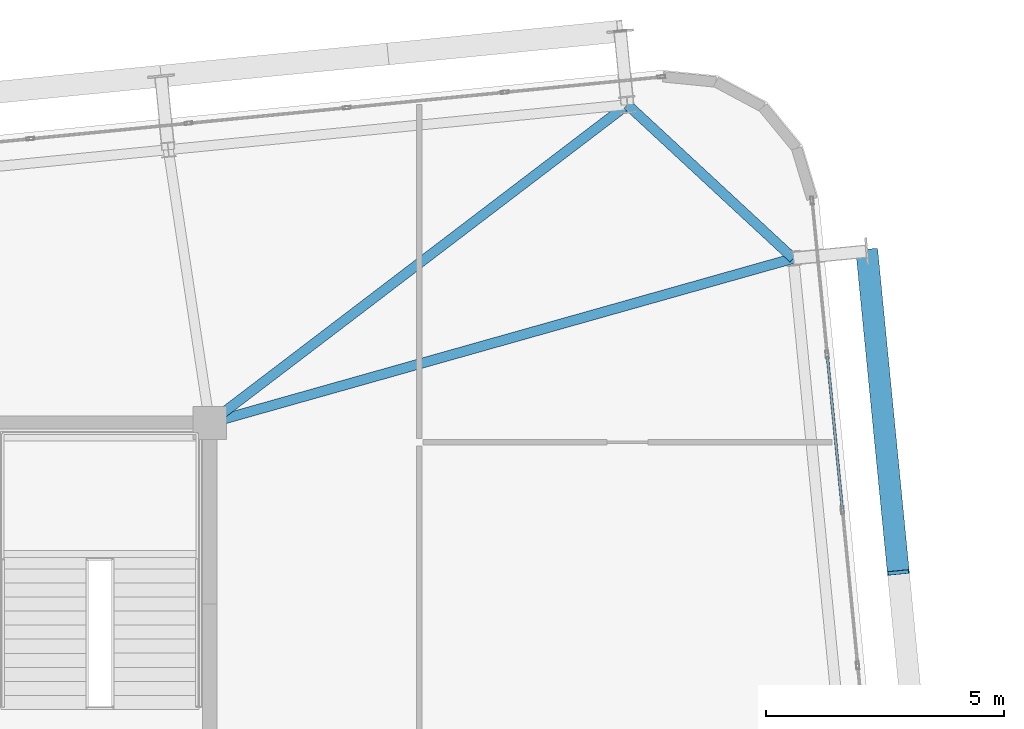
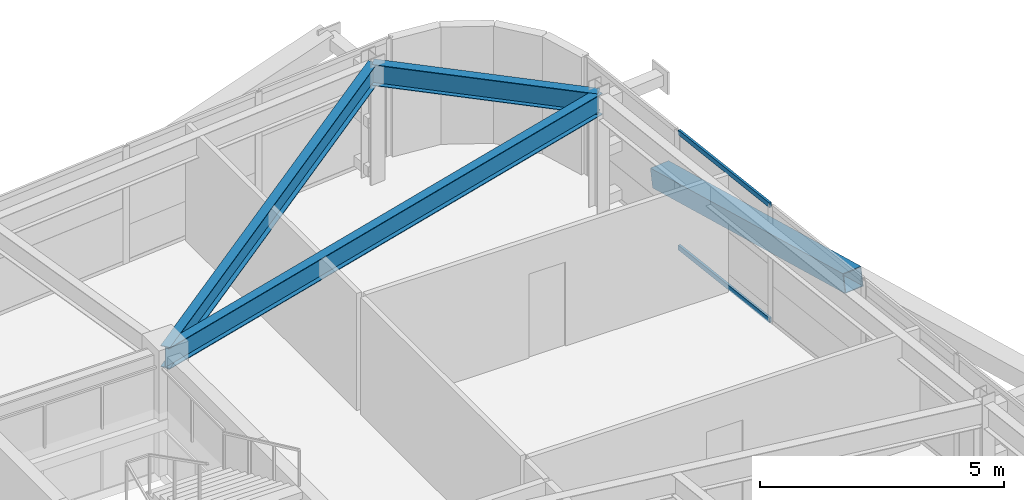
# One storey, part 34 of 52: 3 beams, 3 members, 1 element without a shape of its own.
"""IFC4 building model written with IfcOpenShell, lengths in metres."""

from ifc_helpers import new_model, si_unit, direction, frame, origin, origin_2d, place, context, subcontext, project, spatial, hollow_rectangle, i_section, extrude, source, transform, mapped, material, layer, layer_set, material_profile, profile_set, type_object, element, aggregate, save


model = new_model("IFC4")

# Units and contexts
model_context = context("Model", 3, precision=1e-05, world=origin(), true_north=direction((0.0, 1.0)))
body_context = subcontext(model_context, "Body", "Model", "MODEL_VIEW")
ifc_project = project(units=[si_unit("LENGTHUNIT", "METRE"), si_unit("AREAUNIT", "SQUARE_METRE"), si_unit("VOLUMEUNIT", "CUBIC_METRE"), si_unit("PLANEANGLEUNIT", "RADIAN"), si_unit("MASSUNIT", "GRAM", prefix="KILO")], contexts=[model_context])

# Site, building, storey
site_placement = place(None, origin())
site = spatial("IfcSite", under=ifc_project, at=site_placement, CompositionType="ELEMENT")
building_placement = place(site_placement, origin())
building = spatial("IfcBuilding", under=site, at=building_placement, Name="Taldren Reach Tower", CompositionType="ELEMENT")
storey_placement = place(building_placement, frame((0.0, 0.0, 93.449951171875)))
storey = spatial("IfcBuildingStorey", under=building, at=storey_placement, Name="L28", CompositionType="ELEMENT", Elevation=93.449951171875)

# Beams
ifc_material_1 = material(Name="Steel Gr 350 (350PLUS)", Category="steel")
ifc_material_profile_1 = material_profile(ifc_material_1, i_section(OverallWidth=0.208984375, OverallDepth=0.528076171875, WebThickness=0.009521484375, FlangeThickness=0.01318359375, at=origin_2d()), Name="530UB82.0")
ifc_profile_set_1 = profile_set([ifc_material_profile_1], Name="Steel Gr 350 (350PLUS)")
beam_type_1 = type_object("IfcBeamType", Name="SP-UB530B", PredefinedType="SPANDREL", material=ifc_profile_set_1)
shared_shape_1 = source(origin(), body_context, "Body", "SweptSolid", [
    extrude(i_section(OverallWidth=0.208984375, OverallDepth=0.528076171875, WebThickness=0.009521484375, FlangeThickness=0.01318359375, at=origin_2d()), origin(), (0.0, 0.0, 1.0), 4.74609375),
])
beam_1_placement = place(storey_placement, frame((63.247314453125, 35.454345703125, 2.666015625), z_axis=(-0.733547883762, 0.679637772809, 0.0), x_axis=(-0.679637772809, -0.733547883762, 0.0)))
element("IfcBeam", 1, at=beam_1_placement, inside=storey, type_object=beam_type_1, Name="Perimeter spandrel B2 E3-N6 L28", PredefinedType="SPANDREL", context=body_context, shape_type="MappedRepresentation", body=[
    mapped(shared_shape_1, transform((0.0, 0.0, 0.0), scale=1.0)),
])
ifc_material_profile_2 = material_profile(ifc_material_1, i_section(OverallWidth=0.208984375, OverallDepth=0.532958984375, WebThickness=0.01025390625, FlangeThickness=0.015625, at=origin_2d()), Name="530UB92.4")
ifc_profile_set_2 = profile_set([ifc_material_profile_2], Name="Steel Gr 350 (350PLUS)")
beam_type_2 = type_object("IfcBeamType", Name="BM-UB530A", PredefinedType="BEAM", material=ifc_profile_set_2)
shared_shape_2 = source(origin(), body_context, "Body", "SweptSolid", [
    extrude(i_section(OverallWidth=0.208984375, OverallDepth=0.532958984375, WebThickness=0.01025390625, FlangeThickness=0.015625, at=origin_2d()), origin(), (0.0, 0.0, 1.0), 12.72509765625),
])
beam_2_placement = place(storey_placement, frame((51.0, 32.0, 2.66357421875), z_axis=(0.962450190096, 0.271458342264, 0.0), x_axis=(-0.271458342264, 0.962450190096, 0.0)))
element("IfcBeam", 2, at=beam_2_placement, inside=storey, type_object=beam_type_2, Name="Primary floor girder B2-E3 L28", PredefinedType="BEAM", context=body_context, shape_type="MappedRepresentation", body=[
    mapped(shared_shape_2, transform((0.0, 0.0, 0.0), scale=1.0)),
])
shared_shape_3 = source(origin(), body_context, "Body", "SweptSolid", [
    extrude(i_section(OverallWidth=0.208984375, OverallDepth=0.532958984375, WebThickness=0.01025390625, FlangeThickness=0.015625, at=origin_2d()), origin(), (0.0, 0.0, 1.0), 11.02099609375),
])
beam_3_placement = place(storey_placement, frame((51.0, 32.0, 2.66357421875), z_axis=(0.795380356763, 0.606110623629, 0.0), x_axis=(-0.606110623629, 0.795380356763, 0.0)))
element("IfcBeam", 3, at=beam_3_placement, inside=storey, type_object=beam_type_2, Name="Primary floor girder B2-N6 L28", PredefinedType="BEAM", context=body_context, shape_type="MappedRepresentation", body=[
    mapped(shared_shape_3, transform((0.0, 0.0, 0.0), scale=1.0)),
])

# Member
ifc_material_2 = material(Name="Steel Gr 450 (C450L0)", Category="steel")
ifc_material_profile_3 = material_profile(ifc_material_2, hollow_rectangle(XDim=0.4599609375, YDim=0.4599609375, WallThickness=0.01611328125, at=origin_2d()), Name="460x460x16.0SHS")
ifc_profile_set_3 = profile_set([ifc_material_profile_3], Name="Steel Gr 450 (C450L0)")
member_type_1 = type_object("IfcMemberType", Name="MB-EXO457", PredefinedType="BRACE", material=ifc_profile_set_3)
shared_shape_4 = source(origin(), body_context, "Body", "SweptSolid", [
    extrude(hollow_rectangle(XDim=0.4599609375, YDim=0.4599609375, WallThickness=0.01611328125, at=origin_2d()), origin(), (0.0, 0.0, 1.0), 6.883056640625),
])
member_1_placement = place(storey_placement, frame((64.789794921875, 35.60546875, 0.219970703125), z_axis=(0.09605145821, -0.97959718347, 0.176531797456), x_axis=(0.995227290009, 0.097584021339, 0.0)))
element("IfcMember", 4, at=member_1_placement, inside=storey, type_object=member_type_1, Name="Exoskeleton Diagrid Brace B2-E2 L28", PredefinedType="BRACE", context=body_context, shape_type="MappedRepresentation", body=[
    mapped(shared_shape_4, transform((0.0, 0.0, 0.0), scale=1.0)),
])

# Curtain wall, members
ifc_material_3 = material(Name="Aluminium and Low-E Glass Unitised System", Category="aluminium")
ifc_layer = layer(ifc_material_3, 0.159912109375)
ifc_layer_set = layer_set([ifc_layer], Name="Aluminium and Low-E Glass Unitised System")
curtain_wall_type = type_object("IfcCurtainWallType", Name="CW-SYS-3", PredefinedType="NOTDEFINED", material=ifc_layer_set)
curtain_wall_placement = place(storey_placement, origin())
curtain_wall = element("IfcCurtainWall", 5, at=curtain_wall_placement, inside=storey, type_object=curtain_wall_type, Name="Unitised curtain wall CW-L28-E", PredefinedType="NOTDEFINED")
ifc_material_4 = material(Name="Anodised Aluminium 6063-T6", Category="aluminium")
ifc_material_profile_4 = material_profile(ifc_material_4, hollow_rectangle(XDim=0.054931640625, YDim=0.1201171875, WallThickness=0.0029296875, at=origin_2d()), Name="ALU-120x55x3RHS")
ifc_profile_set_4 = profile_set([ifc_material_profile_4], Name="Anodised Aluminium 6063-T6")
member_type_2 = type_object("IfcMemberType", Name="CW-TRN-135", PredefinedType="USERDEFINED", material=ifc_profile_set_4)
shared_shape_5 = source(origin(), body_context, "Body", "SweptSolid", [
    extrude(hollow_rectangle(XDim=0.054931640625, YDim=0.1201171875, WallThickness=0.0029296875, at=origin_2d()), origin(), (0.0, 0.0, 1.0), 3.212890625),
])
member_2_placement = place(storey_placement, frame((64.274169921875, 30.206298828125, 0.027587890625), z_axis=(-0.097569948235, 0.995228669805, 0.0), x_axis=(-0.995228669805, -0.097569948235, 0.0)))
member_2 = element("IfcMember", 6, at=member_2_placement, type_object=member_type_2, Name="CW-3 transom 8.1", ObjectType="TRANSOM", PredefinedType="USERDEFINED", context=body_context, shape_type="MappedRepresentation", body=[
    mapped(shared_shape_5, transform((0.0, 0.0, 0.0), scale=1.0)),
])
member_3_placement = place(storey_placement, frame((64.274169921875, 30.206298828125, 2.902587890625), z_axis=(-0.097569948235, 0.995228669805, 0.0), x_axis=(-0.995228669805, -0.097569948235, 0.0)))
member_3 = element("IfcMember", 7, at=member_3_placement, type_object=member_type_2, Name="CW-3 transom 8.2", ObjectType="TRANSOM", PredefinedType="USERDEFINED", context=body_context, shape_type="MappedRepresentation", body=[
    mapped(shared_shape_5, transform((0.0, 0.0, 0.0), scale=1.0)),
])
aggregate(curtain_wall, [member_2, member_3])

save(model, "model.ifc")
